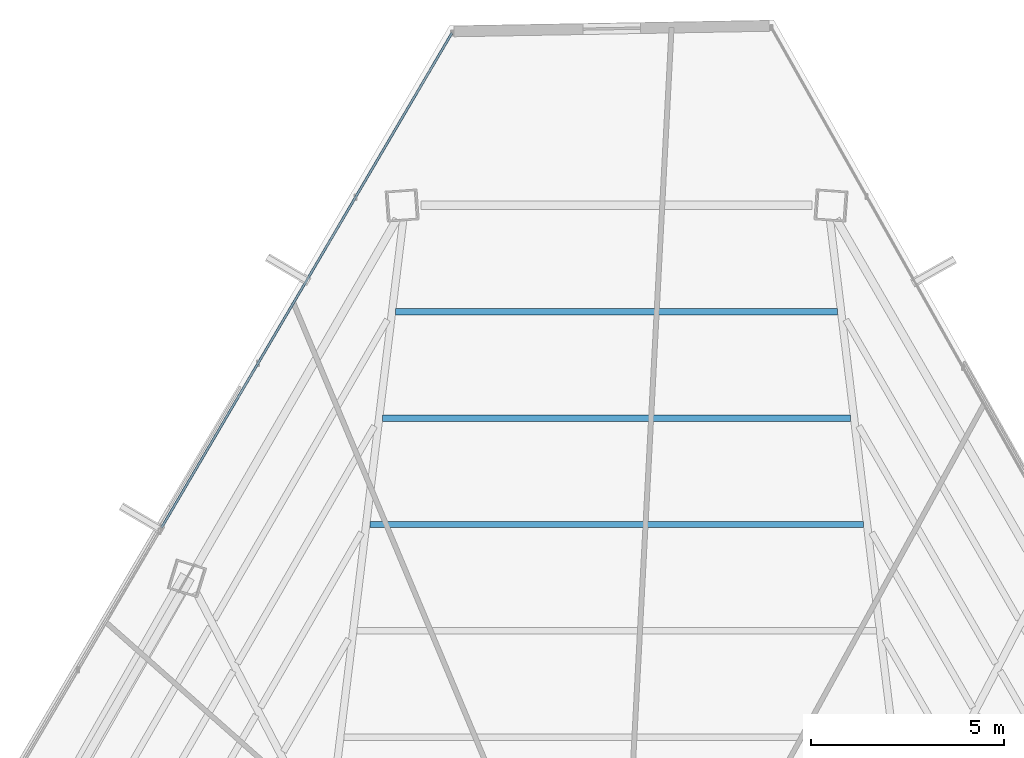
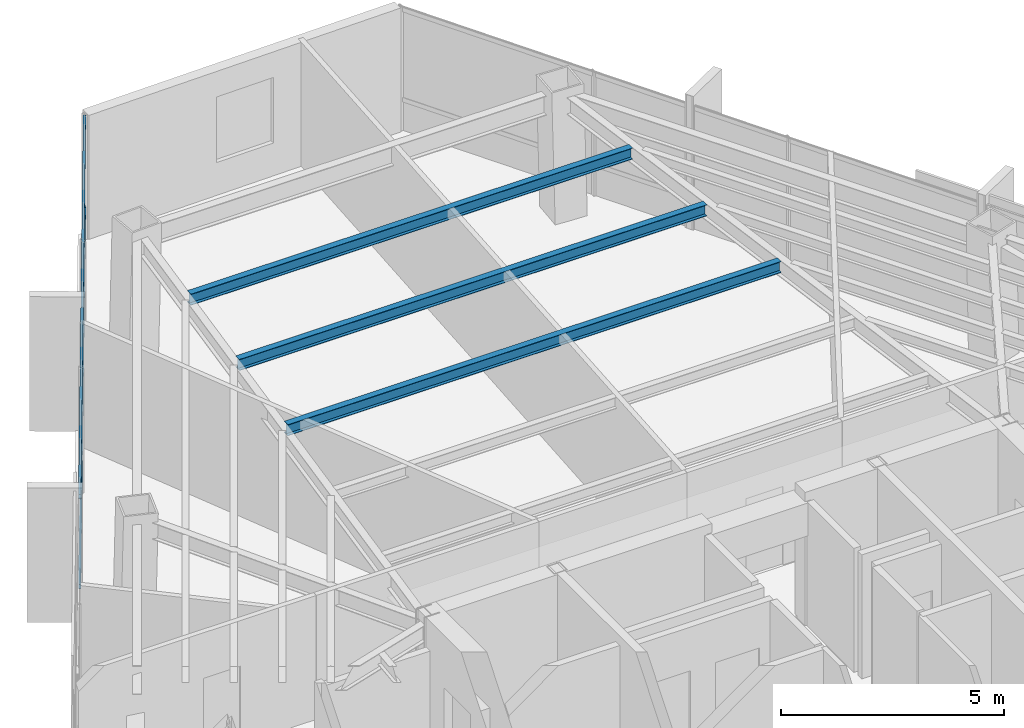
# One storey, part 28 of 42: 3 beams, 2 members, 1 element without a shape of its own.
"""IFC4 building model written with IfcOpenShell, lengths in metres."""

from ifc_helpers import new_model, si_unit, direction, frame, origin, origin_2d, place, context, subcontext, project, spatial, hollow_rectangle, i_section, extrude, source, transform, mapped, material, material_profile, profile_set, type_object, type_shapes, element, aggregate, save


model = new_model("IFC4")

# Units and contexts
model_context = context("Model", 3, precision=1e-05, world=origin(), true_north=direction((0.0, 1.0)))
body_context = subcontext(model_context, "Body", "Model", "MODEL_VIEW")
ifc_project = project(units=[si_unit("LENGTHUNIT", "METRE"), si_unit("AREAUNIT", "SQUARE_METRE"), si_unit("VOLUMEUNIT", "CUBIC_METRE"), si_unit("PLANEANGLEUNIT", "RADIAN"), si_unit("MASSUNIT", "GRAM", prefix="KILO")], contexts=[model_context])

# Site, building, storey
site_placement = place(None, origin())
site = spatial("IfcSite", under=ifc_project, at=site_placement, CompositionType="ELEMENT")
building_placement = place(site_placement, origin())
building = spatial("IfcBuilding", under=site, at=building_placement, Name="Caelisora Broadcast Tower", CompositionType="ELEMENT")
storey_placement = place(building_placement, frame((0.0, 0.0, 184.050048828125)))
storey = spatial("IfcBuildingStorey", under=building, at=storey_placement, Name="L48", CompositionType="ELEMENT", Elevation=184.050048828125)

# Beams
ifc_material_1 = material(Name="Steel Grade 350 (AS/NZS 3679.1)", Category="steel")
ifc_material_profile_1 = material_profile(ifc_material_1, i_section(OverallWidth=0.166015625, OverallDepth=0.30712890625, WebThickness=0.006591796875, FlangeThickness=0.01171875, at=origin_2d()), Name="Steel Grade 350 (AS/NZS 3679.1)")
ifc_profile_set_1 = profile_set([ifc_material_profile_1], Name="Steel Grade 350 (AS/NZS 3679.1)")
beam_type = type_object("IfcBeamType", Name="SB03", PredefinedType="JOIST", material=ifc_profile_set_1)
shared_shape_1 = source(origin(), body_context, "Body", "SweptSolid", [
    extrude(i_section(OverallWidth=0.166015625, OverallDepth=0.30712890625, WebThickness=0.006591796875, FlangeThickness=0.01171875, at=origin_2d()), origin(), (0.0, 0.0, 1.0), 12.80078125),
])
beam_1_placement = place(storey_placement, frame((44.400390625, 38.27685546875, 3.246337890625), z_axis=(-1.0, 0.0, 0.0), x_axis=(0.0, -1.0, 0.0)))
element("IfcBeam", 1, at=beam_1_placement, inside=storey, type_object=beam_type, Name="L48 beam SB03", PredefinedType="JOIST", context=body_context, shape_type="MappedRepresentation", body=[
    mapped(shared_shape_1, transform((0.0, 0.0, 0.0), scale=1.0)),
])
shared_shape_2 = source(origin(), body_context, "Body", "SweptSolid", [
    extrude(i_section(OverallWidth=0.166015625, OverallDepth=0.30712890625, WebThickness=0.006591796875, FlangeThickness=0.01171875, at=origin_2d()), origin(), (0.0, 0.0, 1.0), 12.1298828125),
])
beam_2_placement = place(storey_placement, frame((44.06494140625, 41.035888671875, 3.246337890625), z_axis=(-1.0, 0.0, 0.0), x_axis=(0.0, -1.0, 0.0)))
element("IfcBeam", 2, at=beam_2_placement, inside=storey, type_object=beam_type, Name="L48 beam SB03", PredefinedType="JOIST", context=body_context, shape_type="MappedRepresentation", body=[
    mapped(shared_shape_2, transform((0.0, 0.0, 0.0), scale=1.0)),
])
shared_shape_3 = source(origin(), body_context, "Body", "SweptSolid", [
    extrude(i_section(OverallWidth=0.166015625, OverallDepth=0.30712890625, WebThickness=0.006591796875, FlangeThickness=0.01171875, at=origin_2d()), origin(), (0.0, 0.0, 1.0), 11.458984375),
])
type_shapes(beam_type, [shared_shape_1, shared_shape_2, shared_shape_3])
beam_3_placement = place(storey_placement, frame((43.7294921875, 43.794921875, 3.246337890625), z_axis=(-1.0, 0.0, 0.0), x_axis=(0.0, -1.0, 0.0)))
element("IfcBeam", 3, at=beam_3_placement, inside=storey, type_object=beam_type, Name="L48 beam SB03", PredefinedType="JOIST", context=body_context, shape_type="MappedRepresentation", body=[
    mapped(shared_shape_3, transform((0.0, 0.0, 0.0), scale=1.0)),
])

# Curtain wall, members
ifc_material_2 = material(Name="Unitised Aluminium and Low-E Glass Curtain Wall", Category="glass")
curtain_wall_type = type_object("IfcCurtainWallType", Name="CW-Z4", PredefinedType="NOTDEFINED", material=ifc_material_2)
curtain_wall_placement = place(storey_placement, origin())
curtain_wall = element("IfcCurtainWall", 4, at=curtain_wall_placement, inside=storey, type_object=curtain_wall_type, Name="L48 curtain wall CW-Z4", PredefinedType="NOTDEFINED")
ifc_material_3 = material(Name="Aluminium 6063-T6 Anodised Terracotta Bronze", Category="aluminium")
ifc_material_profile_2 = material_profile(ifc_material_3, hollow_rectangle(XDim=0.06005859375, YDim=0.1201171875, WallThickness=0.0029296875, at=origin_2d()), Name="Aluminium 6063-T6 Anodised Terracotta Bronze")
ifc_profile_set_2 = profile_set([ifc_material_profile_2], Name="Aluminium 6063-T6 Anodised Terracotta Bronze")
member_type = type_object("IfcMemberType", Name="CWT-03", PredefinedType="USERDEFINED", material=ifc_profile_set_2)
shared_shape_4 = source(origin(), body_context, "Body", "SweptSolid", [
    extrude(hollow_rectangle(XDim=0.06005859375, YDim=0.1201171875, WallThickness=0.0029296875, at=origin_2d()), origin(), (0.0, 0.0, 1.0), 14.870361328125),
])
type_shapes(member_type, [shared_shape_4])
member_1_placement = place(storey_placement, frame((26.20068359375, 38.1953125, 0.849853515625), z_axis=(0.506311790815, 0.862350491669, 0.0), x_axis=(-0.862350491669, 0.506311790815, 0.0)))
member_1 = element("IfcMember", 5, at=member_1_placement, type_object=member_type, Name="L48-CW-B11 transom #1", ObjectType="TRANSOM", PredefinedType="USERDEFINED", context=body_context, shape_type="MappedRepresentation", body=[
    mapped(shared_shape_4, transform((0.0, 0.0, 0.0), scale=1.0)),
])
member_2_placement = place(storey_placement, frame((26.20068359375, 38.1953125, 3.320068359375), z_axis=(0.506311790815, 0.862350491669, 0.0), x_axis=(-0.862350491669, 0.506311790815, 0.0)))
member_2 = element("IfcMember", 6, at=member_2_placement, type_object=member_type, Name="L48-CW-B11 transom #2", ObjectType="TRANSOM", PredefinedType="USERDEFINED", context=body_context, shape_type="MappedRepresentation", body=[
    mapped(shared_shape_4, transform((0.0, 0.0, 0.0), scale=1.0)),
])
aggregate(curtain_wall, [member_1, member_2])

save(model, "model.ifc")
